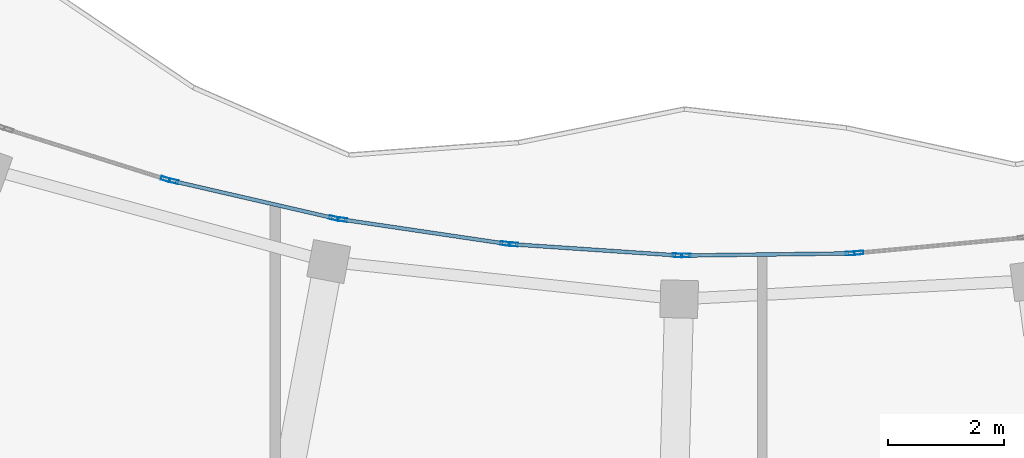
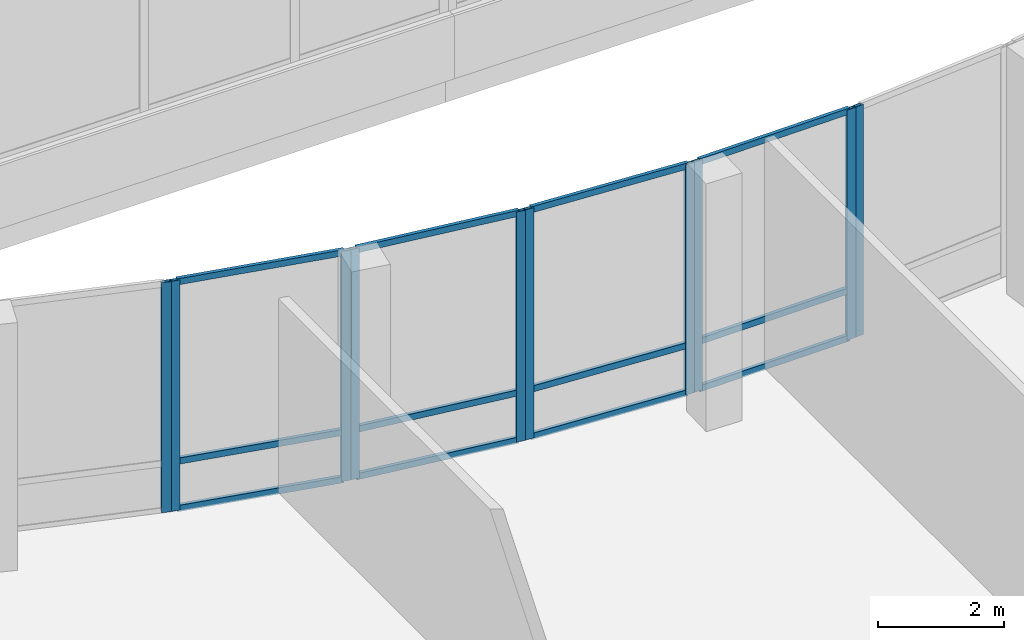
# One storey, part 31 of 155: 22 members, 6 elements without a shape of their own.
"""IFC4 building model written with IfcOpenShell, lengths in metres."""

import ifcopenshell
import ifcopenshell.guid

model = None  # the IFC model being written
_history = None  # IfcOwnerHistory: only IFC2X3 demands one
_inside = {}  # id of a spatial element -> (the spatial element, [elements in it])
_under = {}  # id of a project, library or spatial element -> (it, [spatial elements below it])
_declared = {}  # id of a project -> (the project, [libraries it declares])
_typed = {}  # id of a type object -> (the type object, [elements of that type])
_made_of = {}  # id of a material, layer set ... -> (it, [elements and type objects made of it])


def new_model(schema):
    """Start an empty IFC model of exactly this schema.

    Asked for "IFC4X3", IfcOpenShell would pick the latest addendum, in which some entities
    have other attributes; the version numbers below select the first issue.
    IFC2X3 requires an IfcOwnerHistory on every rooted entity: one is made here for all.
    """
    global model, _history
    if schema == "IFC4X3":
        model = ifcopenshell.file(schema_version=(4, 3, 0, 0))
    else:
        model = ifcopenshell.file(schema=schema)
    _inside.clear()
    _under.clear()
    _declared.clear()
    _typed.clear()
    _made_of.clear()
    _history = None
    if model.schema == "IFC2X3":
        org = make("IfcOrganization", Name="unknown")
        user = make(
            "IfcPersonAndOrganization",
            ThePerson=make("IfcPerson", FamilyName="unknown"),
            TheOrganization=org,
        )
        app = make(
            "IfcApplication",
            ApplicationDeveloper=org,
            Version="unknown",
            ApplicationFullName="unknown",
            ApplicationIdentifier="unknown",
        )
        _history = make(
            "IfcOwnerHistory",
            OwningUser=user,
            OwningApplication=app,
            ChangeAction="ADDED",
            CreationDate=0,
        )
    return model


def make(cls, **values):
    """One entity of the class cls with the attributes given. An attribute that is None is left unset."""
    return model.create_entity(
        cls, **{name: value for name, value in values.items() if value is not None}
    )


def rooted(cls, **values):
    """An entity with a GlobalId (a new one), such as an element, a storey or a relation."""
    return make(cls, GlobalId=ifcopenshell.guid.new(), OwnerHistory=_history, **values)


def si_unit(unit_type, name, prefix=None):
    """IfcSIUnit, for example si_unit("LENGTHUNIT", "METRE", prefix="MILLI")."""
    return make("IfcSIUnit", UnitType=unit_type, Prefix=prefix, Name=name)


def assignment(units):
    """IfcUnitAssignment: the units of a project."""
    return None if units is None else make("IfcUnitAssignment", Units=units)


def point(xyz):
    """IfcCartesianPoint."""
    return None if xyz is None else make("IfcCartesianPoint", Coordinates=xyz)


def direction(xyz):
    """IfcDirection."""
    return None if xyz is None else make("IfcDirection", DirectionRatios=xyz)


def frame(location, z_axis=None, x_axis=None):
    """IfcAxis2Placement3D, a coordinate frame: its origin and axes. An axis left out is left unset."""
    return make(
        "IfcAxis2Placement3D",
        Location=point(location),
        Axis=direction(z_axis),
        RefDirection=direction(x_axis),
    )


def frame_2d(location, x_axis=None):
    """IfcAxis2Placement2D, a coordinate frame in the plane: its origin and x axis."""
    return make(
        "IfcAxis2Placement2D", Location=point(location), RefDirection=direction(x_axis)
    )


def origin():
    """The frame at (0, 0, 0) with its axes left unset."""
    return frame((0.0, 0.0, 0.0))


def origin_2d():
    """The frame at (0, 0) in the plane with its x axis left unset."""
    return frame_2d((0.0, 0.0))


def place(relative_to, where):
    """IfcLocalPlacement: puts the frame where relative to a parent placement (None: the world)."""
    return make(
        "IfcLocalPlacement", PlacementRelTo=relative_to, RelativePlacement=where
    )


def context(
    kind, dimensions, precision=None, world=None, true_north=None, identifier=None
):
    """IfcGeometricRepresentationContext, for example the 3D "Model" context."""
    return make(
        "IfcGeometricRepresentationContext",
        ContextIdentifier=identifier,
        ContextType=kind,
        CoordinateSpaceDimension=dimensions,
        Precision=precision,
        WorldCoordinateSystem=world,
        TrueNorth=true_north,
    )


def subcontext(parent, identifier, kind, view, scale=None):
    """IfcGeometricRepresentationSubContext, for example "Body" below "Model"."""
    return make(
        "IfcGeometricRepresentationSubContext",
        ContextIdentifier=identifier,
        ContextType=kind,
        ParentContext=parent,
        TargetScale=scale,
        TargetView=view,
    )


def project(units=None, contexts=None):
    """IfcProject with its units and contexts."""
    return rooted(
        "IfcProject",
        Name="project",
        RepresentationContexts=contexts,
        UnitsInContext=assignment(units),
    )


def spatial(cls, under=None, at=None, **own):
    """A site, building, storey or space (cls), placed at a placement, below another one or the project."""
    s = rooted(cls, ObjectPlacement=at, **own)
    if under is not None:
        _under.setdefault(under.id(), (under, []))[1].append(s)
    return s


def profile(cls, at=None, kind="AREA", **sizes):
    """A parametric profile (cls). Its sizes go by their IFC names, for example OverallWidth=200.0."""
    return make(cls, ProfileType=kind, Position=at, **sizes)


def hollow_rectangle(**sizes):
    """IfcRectangleHollowProfileDef."""
    return profile("IfcRectangleHollowProfileDef", **sizes)


def extrude(swept, where, along, depth):
    """IfcExtrudedAreaSolid: the profile swept, set in the frame where, extruded along a direction by depth."""
    return make(
        "IfcExtrudedAreaSolid",
        SweptArea=swept,
        Position=where,
        ExtrudedDirection=direction(along),
        Depth=depth,
    )


def shape(context_of_items, identifier, shape_type, items):
    """IfcShapeRepresentation: the items that make up one representation, for example the "Body"."""
    return make(
        "IfcShapeRepresentation",
        ContextOfItems=context_of_items,
        RepresentationIdentifier=identifier,
        RepresentationType=shape_type,
        Items=items,
    )


def material(Name=None, Category=None):
    """IfcMaterial."""
    return make("IfcMaterial", Name=Name, Category=Category)


def material_profile(
    of_material, cross_section, Name=None, Category=None, Priority=None
):
    """IfcMaterialProfile: a cross section and its material."""
    return make(
        "IfcMaterialProfile",
        Name=Name,
        Material=of_material,
        Profile=cross_section,
        Priority=Priority,
        Category=Category,
    )


def profile_set(profiles, Name=None, composite=None):
    """IfcMaterialProfileSet."""
    return make(
        "IfcMaterialProfileSet",
        Name=Name,
        MaterialProfiles=profiles,
        CompositeProfile=composite,
    )


def made_of(thing, what):
    """Note that an element or type object is made of a material, layer set ...; save() writes the relation."""
    if what is not None:
        _made_of.setdefault(what.id(), (what, []))[1].append(thing)
    return thing


def type_object(cls, material=None, **own):
    """A type object (cls), such as IfcWallType, which elements share."""
    return made_of(rooted(cls, **own), material)


def element(
    cls,
    number,
    at=None,
    inside=None,
    cuts=None,
    type_object=None,
    material=None,
    context=None,
    identifier="Body",
    shape_type=None,
    held_by="IfcProductDefinitionShape",
    body=None,
    shapes=None,
    **own,
):
    """One element of the class cls, such as IfcWall. Its Tag is "e" and its number.

    at: its placement. inside: the storey or other place that contains it. cuts: it is an
    opening in that element (IfcRelVoidsElement). A single representation is given by context,
    identifier, shape_type and body (its items); several are given by shapes. held_by: the class
    of the entity that holds the representations. save() writes the other relations.
    """
    e = rooted(cls, Tag="e%d" % number, ObjectPlacement=at, **own)
    if body is not None:
        shapes = [shape(context, identifier, shape_type, body)]
    if shapes is not None:
        e.Representation = make(held_by, Representations=shapes)
    if inside is not None:
        _inside.setdefault(inside.id(), (inside, []))[1].append(e)
    if cuts is not None:
        rooted(
            "IfcRelVoidsElement", RelatingBuildingElement=cuts, RelatedOpeningElement=e
        )
    if type_object is not None:
        _typed.setdefault(type_object.id(), (type_object, []))[1].append(e)
    return made_of(e, material)


def aggregate(whole, parts):
    """IfcRelAggregates: a whole, such as a stair, and the parts it consists of."""
    return rooted("IfcRelAggregates", RelatingObject=whole, RelatedObjects=parts)


def save(model, path):
    """Write the relations noted so far, then the file.

    IfcRelAggregates (storeys below a building ...), IfcRelContainedInSpatialStructure (elements
    in a storey), IfcRelDefinesByType, IfcRelAssociatesMaterial and IfcRelDeclares: one each for
    every whole, place, type object, material and project.
    """
    for whole, parts in _under.values():
        aggregate(whole, parts)
    for where, things in _inside.values():
        rooted(
            "IfcRelContainedInSpatialStructure",
            RelatedElements=things,
            RelatingStructure=where,
        )
    for kind, things in _typed.values():
        rooted("IfcRelDefinesByType", RelatedObjects=things, RelatingType=kind)
    for what, things in _made_of.values():
        rooted("IfcRelAssociatesMaterial", RelatedObjects=things, RelatingMaterial=what)
    for by, libraries in _declared.values():
        rooted("IfcRelDeclares", RelatingContext=by, RelatedDefinitions=libraries)
    model.write(path)


model = new_model("IFC4")

# Units and contexts
model_context = context("Model", 3, precision=1e-05, world=origin(), true_north=direction((0.0, 1.0)))
body_context = subcontext(model_context, "Body", "Model", "MODEL_VIEW")
ifc_project = project(units=[si_unit("LENGTHUNIT", "METRE"), si_unit("AREAUNIT", "SQUARE_METRE"), si_unit("VOLUMEUNIT", "CUBIC_METRE"), si_unit("PLANEANGLEUNIT", "RADIAN"), si_unit("MASSUNIT", "GRAM", prefix="KILO")], contexts=[model_context])

# Site, building, storey
site_placement = place(None, origin())
site = spatial("IfcSite", under=ifc_project, at=site_placement, CompositionType="ELEMENT")
building_placement = place(site_placement, origin())
building = spatial("IfcBuilding", under=site, at=building_placement, Name="Selatvlak General Hospital", CompositionType="ELEMENT")
storey_placement = place(building_placement, frame((0.0, 0.0, 10.199951171875)))
storey = spatial("IfcBuildingStorey", under=building, at=storey_placement, Name="L02", CompositionType="ELEMENT", Elevation=10.199951171875)

# Curtain wall, member
ifc_material_1 = material(Name="Solar-control Low-E double glazing", Category="glass")
curtain_wall_type_1 = type_object("IfcCurtainWallType", Name="CW-CW-01", PredefinedType="USERDEFINED", material=ifc_material_1)
curtain_wall_1_placement = place(storey_placement, origin())
curtain_wall_1 = element("IfcCurtainWall", 1, at=curtain_wall_1_placement, inside=storey, type_object=curtain_wall_type_1, Name="Glazed facade curtain wall CW-L02-0325", ObjectType="UNITISED CURTAIN WALL", PredefinedType="USERDEFINED")
ifc_material_2 = material(Name="Dark anodised aluminium mullion", Category="aluminium")
ifc_material_profile_1 = material_profile(ifc_material_2, hollow_rectangle(XDim=0.06494140625, YDim=0.159912109375, WallThickness=0.00390625, at=origin_2d()), Name="AL-MUL 65x160x4")
ifc_profile_set_1 = profile_set([ifc_material_profile_1], Name="Dark anodised aluminium mullion")
member_type_1 = type_object("IfcMemberType", Name="CWM-01", PredefinedType="MULLION", material=ifc_profile_set_1)
member_1_placement = place(storey_placement, frame((46.111083984375, 43.330810546875, 0.0), z_axis=(0.0, 0.0, 1.0), x_axis=(0.300372930504, 0.953821840084, 0.0)))
member_1 = element("IfcMember", 2, at=member_1_placement, type_object=member_type_1, Name="CW-01 mullion 2", PredefinedType="MULLION", context=body_context, shape_type="SweptSolid", body=[
    extrude(hollow_rectangle(XDim=0.06494140625, YDim=0.159912109375, WallThickness=0.00390625, at=origin_2d()), origin(), (0.0, 0.0, 1.0), 4.4599609375),
])
aggregate(curtain_wall_1, [member_1])

# Curtain wall, members
curtain_wall_type_2 = type_object("IfcCurtainWallType", Name="CW-CW-02", PredefinedType="USERDEFINED", material=ifc_material_1)
curtain_wall_2_placement = place(storey_placement, origin())
curtain_wall_2 = element("IfcCurtainWall", 3, at=curtain_wall_2_placement, inside=storey, type_object=curtain_wall_type_2, Name="Glazed facade curtain wall CW-L02-0326", ObjectType="UNITISED CURTAIN WALL", PredefinedType="USERDEFINED")
member_2_placement = place(storey_placement, frame((46.251708984375, 43.294677734375, 0.0), z_axis=(0.0, 0.0, 1.0), x_axis=(0.224481730976, 0.974478297582, 0.0)))
member_2 = element("IfcMember", 4, at=member_2_placement, type_object=member_type_1, Name="CW-02 mullion 1", PredefinedType="MULLION", context=body_context, shape_type="SweptSolid", body=[
    extrude(hollow_rectangle(XDim=0.06494140625, YDim=0.159912109375, WallThickness=0.00390625, at=origin_2d()), origin(), (0.0, 0.0, 1.0), 4.4599609375),
])
member_3_placement = place(storey_placement, frame((49.014404296875, 42.658203125, 0.0), z_axis=(0.0, 0.0, 1.0), x_axis=(0.224481730976, 0.974478297582, 0.0)))
member_3 = element("IfcMember", 5, at=member_3_placement, type_object=member_type_1, Name="CW-02 mullion 2", PredefinedType="MULLION", context=body_context, shape_type="SweptSolid", body=[
    extrude(hollow_rectangle(XDim=0.06494140625, YDim=0.159912109375, WallThickness=0.00390625, at=origin_2d()), origin(), (0.0, 0.0, 1.0), 4.4599609375),
])

curtain_wall_3_placement = place(storey_placement, origin())
curtain_wall_3 = element("IfcCurtainWall", 6, at=curtain_wall_3_placement, inside=storey, type_object=curtain_wall_type_1, Name="Glazed facade curtain wall CW-L02-0327", ObjectType="UNITISED CURTAIN WALL", PredefinedType="USERDEFINED")
member_4_placement = place(storey_placement, frame((49.1572265625, 42.63427734375, 0.0), z_axis=(0.0, 0.0, 1.0), x_axis=(0.146148900327, 0.989262603626, 0.0)))
member_4 = element("IfcMember", 7, at=member_4_placement, type_object=member_type_1, Name="CW-01 mullion 1", PredefinedType="MULLION", context=body_context, shape_type="SweptSolid", body=[
    extrude(hollow_rectangle(XDim=0.06494140625, YDim=0.159912109375, WallThickness=0.00390625, at=origin_2d()), origin(), (0.0, 0.0, 1.0), 4.4599609375),
])
member_5_placement = place(storey_placement, frame((51.962890625, 42.2197265625, 0.0), z_axis=(0.0, 0.0, 1.0), x_axis=(0.146148900327, 0.989262603626, 0.0)))
member_5 = element("IfcMember", 8, at=member_5_placement, type_object=member_type_1, Name="CW-01 mullion 2", PredefinedType="MULLION", context=body_context, shape_type="SweptSolid", body=[
    extrude(hollow_rectangle(XDim=0.06494140625, YDim=0.159912109375, WallThickness=0.00390625, at=origin_2d()), origin(), (0.0, 0.0, 1.0), 4.4599609375),
])

curtain_wall_4_placement = place(storey_placement, origin())
curtain_wall_4 = element("IfcCurtainWall", 9, at=curtain_wall_4_placement, inside=storey, type_object=curtain_wall_type_2, Name="Glazed facade curtain wall CW-L02-0328", ObjectType="UNITISED CURTAIN WALL", PredefinedType="USERDEFINED")
member_6_placement = place(storey_placement, frame((52.107421875, 42.206787109375, 0.0), z_axis=(0.0, 0.0, 1.0), x_axis=(0.067182127799, 0.997740728699, 0.0)))
member_6 = element("IfcMember", 10, at=member_6_placement, type_object=member_type_1, Name="CW-02 mullion 1", PredefinedType="MULLION", context=body_context, shape_type="SweptSolid", body=[
    extrude(hollow_rectangle(XDim=0.06494140625, YDim=0.159912109375, WallThickness=0.00390625, at=origin_2d()), origin(), (0.0, 0.0, 1.0), 4.4599609375),
])
member_7_placement = place(storey_placement, frame((54.9384765625, 42.01611328125, 0.0), z_axis=(0.0, 0.0, 1.0), x_axis=(0.067182127799, 0.997740728699, 0.0)))
member_7 = element("IfcMember", 11, at=member_7_placement, type_object=member_type_1, Name="CW-02 mullion 2", PredefinedType="MULLION", context=body_context, shape_type="SweptSolid", body=[
    extrude(hollow_rectangle(XDim=0.06494140625, YDim=0.159912109375, WallThickness=0.00390625, at=origin_2d()), origin(), (0.0, 0.0, 1.0), 4.4599609375),
])

curtain_wall_5_placement = place(storey_placement, origin())
curtain_wall_5 = element("IfcCurtainWall", 12, at=curtain_wall_5_placement, inside=storey, type_object=curtain_wall_type_1, Name="Glazed facade curtain wall CW-L02-0329", ObjectType="UNITISED CURTAIN WALL", PredefinedType="USERDEFINED")
member_8_placement = place(storey_placement, frame((55.08349609375, 42.014404296875, 0.0), z_axis=(0.0, 0.0, 1.0), x_axis=(-0.012761982337, 0.999918562587, 0.0)))
member_8 = element("IfcMember", 13, at=member_8_placement, type_object=member_type_1, Name="CW-01 mullion 1", PredefinedType="MULLION", context=body_context, shape_type="SweptSolid", body=[
    extrude(hollow_rectangle(XDim=0.06494140625, YDim=0.159912109375, WallThickness=0.00390625, at=origin_2d()), origin(), (0.0, 0.0, 1.0), 4.4599609375),
])
member_9_placement = place(storey_placement, frame((57.91748046875, 42.050537109375, 0.0), z_axis=(0.0, 0.0, 1.0), x_axis=(-0.012761982337, 0.999918562587, 0.0)))
member_9 = element("IfcMember", 14, at=member_9_placement, type_object=member_type_1, Name="CW-01 mullion 2", PredefinedType="MULLION", context=body_context, shape_type="SweptSolid", body=[
    extrude(hollow_rectangle(XDim=0.06494140625, YDim=0.159912109375, WallThickness=0.00390625, at=origin_2d()), origin(), (0.0, 0.0, 1.0), 4.4599609375),
])

# Curtain wall, member
curtain_wall_6_placement = place(storey_placement, origin())
curtain_wall_6 = element("IfcCurtainWall", 15, at=curtain_wall_6_placement, inside=storey, type_object=curtain_wall_type_2, Name="Glazed facade curtain wall CW-L02-0330", ObjectType="UNITISED CURTAIN WALL", PredefinedType="USERDEFINED")
member_10_placement = place(storey_placement, frame((58.062255859375, 42.06005859375, 0.0), z_axis=(0.0, 0.0, 1.0), x_axis=(-0.092369074668, 0.99572483852, 0.0)))
member_10 = element("IfcMember", 16, at=member_10_placement, type_object=member_type_1, Name="CW-02 mullion 1", PredefinedType="MULLION", context=body_context, shape_type="SweptSolid", body=[
    extrude(hollow_rectangle(XDim=0.06494140625, YDim=0.159912109375, WallThickness=0.00390625, at=origin_2d()), origin(), (0.0, 0.0, 1.0), 4.4599609375),
])
aggregate(curtain_wall_6, [member_10])

# Member
ifc_material_profile_2 = material_profile(ifc_material_2, hollow_rectangle(XDim=0.06494140625, YDim=0.1201171875, WallThickness=0.00390625, at=origin_2d()), Name="AL-TRN 65x120x4")
ifc_profile_set_2 = profile_set([ifc_material_profile_2], Name="Dark anodised aluminium mullion")
member_type_2 = type_object("IfcMemberType", Name="CWT-01", PredefinedType="USERDEFINED", material=ifc_profile_set_2)
member_11_placement = place(storey_placement, frame((46.283447265625, 43.287353515625, 0.032470703125), z_axis=(0.974475800427, -0.224492570883, 0.0), x_axis=(0.224492570883, 0.974475800427, 0.0)))
member_11 = element("IfcMember", 17, at=member_11_placement, type_object=member_type_2, Name="CW-02 transom 1.1", ObjectType="TRANSOM", PredefinedType="USERDEFINED", context=body_context, shape_type="SweptSolid", body=[
    extrude(hollow_rectangle(XDim=0.06494140625, YDim=0.1201171875, WallThickness=0.00390625, at=origin_2d()), origin(), (0.0, 0.0, 1.0), 2.77001953125),
])

member_12_placement = place(storey_placement, frame((46.283447265625, 43.287353515625, 0.949951171875), z_axis=(0.974475800427, -0.224492570883, 0.0), x_axis=(0.224492570883, 0.974475800427, 0.0)))
member_12 = element("IfcMember", 18, at=member_12_placement, type_object=member_type_2, Name="CW-02 transom 1.2", ObjectType="TRANSOM", PredefinedType="USERDEFINED", context=body_context, shape_type="SweptSolid", body=[
    extrude(hollow_rectangle(XDim=0.06494140625, YDim=0.1201171875, WallThickness=0.00390625, at=origin_2d()), origin(), (0.0, 0.0, 1.0), 2.77001953125),
])

member_13_placement = place(storey_placement, frame((46.283447265625, 43.287353515625, 4.427490234375), z_axis=(0.974475800427, -0.224492570883, 0.0), x_axis=(0.224492570883, 0.974475800427, 0.0)))
member_13 = element("IfcMember", 19, at=member_13_placement, type_object=member_type_2, Name="CW-02 transom 1.3", ObjectType="TRANSOM", PredefinedType="USERDEFINED", context=body_context, shape_type="SweptSolid", body=[
    extrude(hollow_rectangle(XDim=0.06494140625, YDim=0.1201171875, WallThickness=0.00390625, at=origin_2d()), origin(), (0.0, 0.0, 1.0), 2.77001953125),
])

aggregate(curtain_wall_2, [member_2, member_3, member_11, member_12, member_13])

member_14_placement = place(storey_placement, frame((49.189208984375, 42.62939453125, 0.032470703125), z_axis=(0.989274299391, -0.146069711318, 0.0), x_axis=(0.146069711318, 0.989274299391, 0.0)))
member_14 = element("IfcMember", 20, at=member_14_placement, type_object=member_type_2, Name="CW-01 transom 1.1", ObjectType="TRANSOM", PredefinedType="USERDEFINED", context=body_context, shape_type="SweptSolid", body=[
    extrude(hollow_rectangle(XDim=0.06494140625, YDim=0.1201171875, WallThickness=0.00390625, at=origin_2d()), origin(), (0.0, 0.0, 1.0), 2.771240234375),
])

member_15_placement = place(storey_placement, frame((49.189208984375, 42.62939453125, 0.949951171875), z_axis=(0.989274299391, -0.146069711318, 0.0), x_axis=(0.146069711318, 0.989274299391, 0.0)))
member_15 = element("IfcMember", 21, at=member_15_placement, type_object=member_type_2, Name="CW-01 transom 1.2", ObjectType="TRANSOM", PredefinedType="USERDEFINED", context=body_context, shape_type="SweptSolid", body=[
    extrude(hollow_rectangle(XDim=0.06494140625, YDim=0.1201171875, WallThickness=0.00390625, at=origin_2d()), origin(), (0.0, 0.0, 1.0), 2.771240234375),
])

member_16_placement = place(storey_placement, frame((49.189208984375, 42.62939453125, 4.427490234375), z_axis=(0.989274299391, -0.146069711318, 0.0), x_axis=(0.146069711318, 0.989274299391, 0.0)))
member_16 = element("IfcMember", 22, at=member_16_placement, type_object=member_type_2, Name="CW-01 transom 1.3", ObjectType="TRANSOM", PredefinedType="USERDEFINED", context=body_context, shape_type="SweptSolid", body=[
    extrude(hollow_rectangle(XDim=0.06494140625, YDim=0.1201171875, WallThickness=0.00390625, at=origin_2d()), origin(), (0.0, 0.0, 1.0), 2.771240234375),
])

aggregate(curtain_wall_3, [member_4, member_5, member_14, member_15, member_16])

member_17_placement = place(storey_placement, frame((52.139892578125, 42.20458984375, 0.032470703125), z_axis=(0.997740518771, -0.067185245417, 0.0), x_axis=(0.067185245417, 0.997740518771, 0.0)))
member_17 = element("IfcMember", 23, at=member_17_placement, type_object=member_type_2, Name="CW-02 transom 1.1", ObjectType="TRANSOM", PredefinedType="USERDEFINED", context=body_context, shape_type="SweptSolid", body=[
    extrude(hollow_rectangle(XDim=0.06494140625, YDim=0.1201171875, WallThickness=0.00390625, at=origin_2d()), origin(), (0.0, 0.0, 1.0), 2.772705078125),
])

member_18_placement = place(storey_placement, frame((52.139892578125, 42.20458984375, 0.949951171875), z_axis=(0.997740518771, -0.067185245417, 0.0), x_axis=(0.067185245417, 0.997740518771, 0.0)))
member_18 = element("IfcMember", 24, at=member_18_placement, type_object=member_type_2, Name="CW-02 transom 1.2", ObjectType="TRANSOM", PredefinedType="USERDEFINED", context=body_context, shape_type="SweptSolid", body=[
    extrude(hollow_rectangle(XDim=0.06494140625, YDim=0.1201171875, WallThickness=0.00390625, at=origin_2d()), origin(), (0.0, 0.0, 1.0), 2.772705078125),
])

member_19_placement = place(storey_placement, frame((52.139892578125, 42.20458984375, 4.427490234375), z_axis=(0.997740518771, -0.067185245417, 0.0), x_axis=(0.067185245417, 0.997740518771, 0.0)))
member_19 = element("IfcMember", 25, at=member_19_placement, type_object=member_type_2, Name="CW-02 transom 1.3", ObjectType="TRANSOM", PredefinedType="USERDEFINED", context=body_context, shape_type="SweptSolid", body=[
    extrude(hollow_rectangle(XDim=0.06494140625, YDim=0.1201171875, WallThickness=0.00390625, at=origin_2d()), origin(), (0.0, 0.0, 1.0), 2.772705078125),
])

aggregate(curtain_wall_4, [member_6, member_7, member_17, member_18, member_19])

member_20_placement = place(storey_placement, frame((55.115966796875, 42.014892578125, 0.032470703125), z_axis=(0.999919413331, 0.012695150372, 0.0), x_axis=(-0.012695150372, 0.999919413331, 0.0)))
member_20 = element("IfcMember", 26, at=member_20_placement, type_object=member_type_2, Name="CW-01 transom 1.1", ObjectType="TRANSOM", PredefinedType="USERDEFINED", context=body_context, shape_type="SweptSolid", body=[
    extrude(hollow_rectangle(XDim=0.06494140625, YDim=0.1201171875, WallThickness=0.00390625, at=origin_2d()), origin(), (0.0, 0.0, 1.0), 2.769287109375),
])

member_21_placement = place(storey_placement, frame((55.115966796875, 42.014892578125, 0.949951171875), z_axis=(0.999919413331, 0.012695150372, 0.0), x_axis=(-0.012695150372, 0.999919413331, 0.0)))
member_21 = element("IfcMember", 27, at=member_21_placement, type_object=member_type_2, Name="CW-01 transom 1.2", ObjectType="TRANSOM", PredefinedType="USERDEFINED", context=body_context, shape_type="SweptSolid", body=[
    extrude(hollow_rectangle(XDim=0.06494140625, YDim=0.1201171875, WallThickness=0.00390625, at=origin_2d()), origin(), (0.0, 0.0, 1.0), 2.769287109375),
])

member_22_placement = place(storey_placement, frame((55.115966796875, 42.014892578125, 4.427490234375), z_axis=(0.999919413331, 0.012695150372, 0.0), x_axis=(-0.012695150372, 0.999919413331, 0.0)))
member_22 = element("IfcMember", 28, at=member_22_placement, type_object=member_type_2, Name="CW-01 transom 1.3", ObjectType="TRANSOM", PredefinedType="USERDEFINED", context=body_context, shape_type="SweptSolid", body=[
    extrude(hollow_rectangle(XDim=0.06494140625, YDim=0.1201171875, WallThickness=0.00390625, at=origin_2d()), origin(), (0.0, 0.0, 1.0), 2.769287109375),
])

aggregate(curtain_wall_5, [member_8, member_9, member_20, member_21, member_22])

save(model, "model.ifc")
